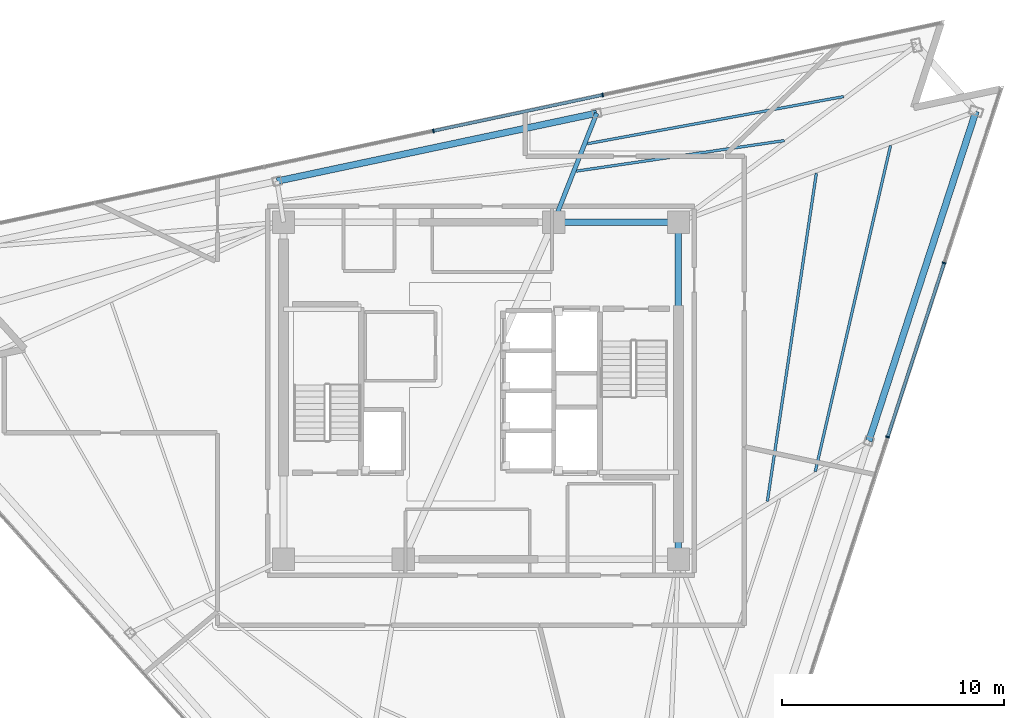
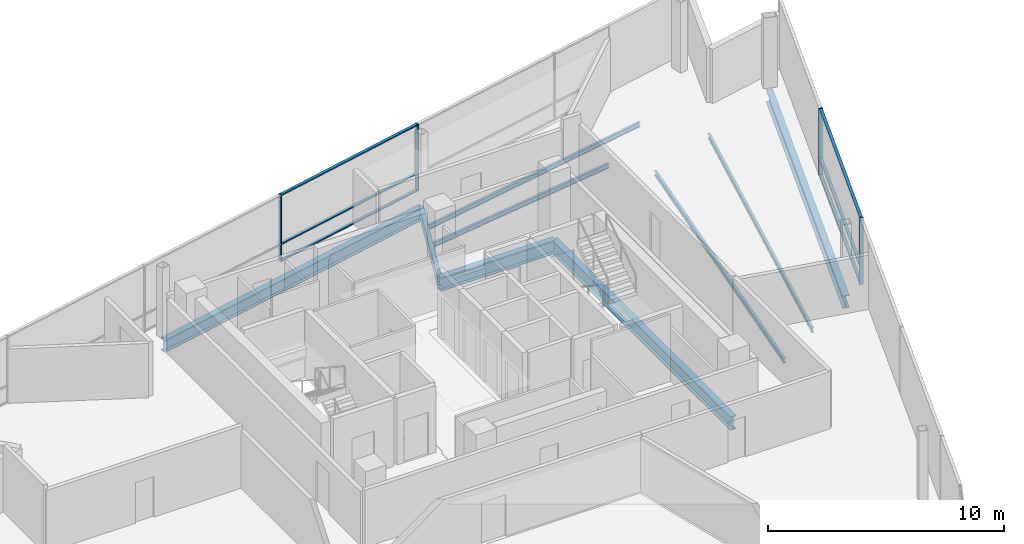
# One storey, part 7 of 15: 10 members, 9 beams, 2 elements without a shape of their own.
"""IFC4 building model written with IfcOpenShell, lengths in metres."""

from ifc_helpers import new_model, si_unit, direction, frame, origin, origin_2d, place, context, subcontext, project, spatial, rectangle, i_section, extrude, material, layer, layer_set, material_profile, profile_set, type_object, element, aggregate, save


model = new_model("IFC4")

# Units and contexts
model_context = context("Model", 3, precision=1e-05, world=origin(), true_north=direction((0.0, 1.0)))
body_context = subcontext(model_context, "Body", "Model", "MODEL_VIEW")
ifc_project = project(units=[si_unit("LENGTHUNIT", "METRE"), si_unit("AREAUNIT", "SQUARE_METRE"), si_unit("VOLUMEUNIT", "CUBIC_METRE"), si_unit("PLANEANGLEUNIT", "RADIAN"), si_unit("MASSUNIT", "GRAM", prefix="KILO")], contexts=[model_context])

# Site, building, storey
site_placement = place(None, origin())
site = spatial("IfcSite", under=ifc_project, at=site_placement, CompositionType="ELEMENT")
building_placement = place(site_placement, origin())
building = spatial("IfcBuilding", under=site, at=building_placement, Name="Tharavind Bronze Gate", CompositionType="ELEMENT")
storey_placement = place(building_placement, frame((0.0, 0.0, 290.699951171875)))
storey = spatial("IfcBuildingStorey", under=building, at=storey_placement, Name="L75", CompositionType="ELEMENT", Elevation=290.699951171875)

# Curtain wall, members
ifc_material_1 = material(Name="Anodised Bronze Aluminium", Category="aluminium")
ifc_layer = layer(ifc_material_1, 0.219970703125)
ifc_layer_set = layer_set([ifc_layer], Name="Anodised Bronze Aluminium")
curtain_wall_type = type_object("IfcCurtainWallType", Name="UNITISED CURTAIN WALL CROWN", PredefinedType="USERDEFINED", material=ifc_layer_set)
curtain_wall_1_placement = place(storey_placement, origin())
curtain_wall_1 = element("IfcCurtainWall", 1, at=curtain_wall_1_placement, inside=storey, type_object=curtain_wall_type, Name="L75 unitised curtain wall crown CW-L75-S2", ObjectType="UNITISED CURTAIN WALL", PredefinedType="USERDEFINED")
member_type_1 = type_object("IfcMemberType", Name="CURTAIN WALL BRONZE MULLION 65X180", PredefinedType="MULLION", material=ifc_material_1)
member_1_placement = place(storey_placement, frame((18.336181640625, -2.08544921875, 0.0), z_axis=(0.0, 0.0, 1.0), x_axis=(0.309016994375, 0.951056516295, 0.0)))
member_1 = element("IfcMember", 2, at=member_1_placement, type_object=member_type_1, Name="CW-L75-S2 mullion 5", PredefinedType="MULLION", context=body_context, shape_type="SweptSolid", body=[
    extrude(rectangle(XDim=0.06494140625, YDim=0.179931640625, at=origin_2d()), origin(), (0.0, 0.0, 1.0), 3.465087890625),
])
member_2_placement = place(storey_placement, frame((20.885009765625, 5.759033203125, 0.0), z_axis=(0.0, 0.0, 1.0), x_axis=(0.309016994375, 0.951056516295, 0.0)))
member_2 = element("IfcMember", 3, at=member_2_placement, type_object=member_type_1, Name="CW-L75-S2 mullion 6", PredefinedType="MULLION", context=body_context, shape_type="SweptSolid", body=[
    extrude(rectangle(XDim=0.06494140625, YDim=0.179931640625, at=origin_2d()), origin(), (0.0, 0.0, 1.0), 3.465087890625),
])

curtain_wall_2_placement = place(storey_placement, origin())
curtain_wall_2 = element("IfcCurtainWall", 4, at=curtain_wall_2_placement, inside=storey, type_object=curtain_wall_type, Name="L75 unitised curtain wall crown CW-L75-S3", ObjectType="UNITISED CURTAIN WALL", PredefinedType="USERDEFINED")
member_3_placement = place(storey_placement, frame((5.487548828125, 13.33740234375, 0.0), z_axis=(0.0, 0.0, 1.0), x_axis=(-0.978147237858, -0.207913398007, 0.0)))
member_3 = element("IfcMember", 5, at=member_3_placement, type_object=member_type_1, Name="CW-L75-S3 mullion 3", PredefinedType="MULLION", context=body_context, shape_type="SweptSolid", body=[
    extrude(rectangle(XDim=0.06494140625, YDim=0.179931640625, at=origin_2d()), origin(), (0.0, 0.0, 1.0), 3.465087890625),
])
member_4_placement = place(storey_placement, frame((-2.14453125, 11.715087890625, 0.0), z_axis=(0.0, 0.0, 1.0), x_axis=(-0.978147237858, -0.207913398007, 0.0)))
member_4 = element("IfcMember", 6, at=member_4_placement, type_object=member_type_1, Name="CW-L75-S3 mullion 4", PredefinedType="MULLION", context=body_context, shape_type="SweptSolid", body=[
    extrude(rectangle(XDim=0.06494140625, YDim=0.179931640625, at=origin_2d()), origin(), (0.0, 0.0, 1.0), 3.465087890625),
])

# Member
member_type_2 = type_object("IfcMemberType", Name="CURTAIN WALL BRONZE TRANSOM 65X140", PredefinedType="USERDEFINED", material=ifc_material_1)
member_5_placement = place(storey_placement, frame((19.610595703125, 1.8369140625, 0.0), z_axis=(0.0, 0.0, 1.0), x_axis=(0.309016994375, 0.951056516295, 0.0)))
member_5 = element("IfcMember", 7, at=member_5_placement, type_object=member_type_2, Name="CW-L75-S2 transom TB5", ObjectType="TRANSOM", PredefinedType="USERDEFINED", context=body_context, shape_type="SweptSolid", body=[
    extrude(rectangle(XDim=8.195068359375, YDim=0.139892578125, at=origin_2d()), origin(), (0.0, 0.0, 1.0), 0.06494140625),
])

member_6_placement = place(storey_placement, frame((19.610595703125, 1.8369140625, 0.86767578125), z_axis=(0.0, 0.0, 1.0), x_axis=(0.309016994375, 0.951056516295, 0.0)))
member_6 = element("IfcMember", 8, at=member_6_placement, type_object=member_type_2, Name="CW-L75-S2 transom TS5", ObjectType="TRANSOM", PredefinedType="USERDEFINED", context=body_context, shape_type="SweptSolid", body=[
    extrude(rectangle(XDim=8.195068359375, YDim=0.139892578125, at=origin_2d()), origin(), (0.0, 0.0, 1.0), 0.06494140625),
])

member_7_placement = place(storey_placement, frame((19.610595703125, 1.8369140625, 3.400146484375), z_axis=(0.0, 0.0, 1.0), x_axis=(0.309016994375, 0.951056516295, 0.0)))
member_7 = element("IfcMember", 9, at=member_7_placement, type_object=member_type_2, Name="CW-L75-S2 transom TT5", ObjectType="TRANSOM", PredefinedType="USERDEFINED", context=body_context, shape_type="SweptSolid", body=[
    extrude(rectangle(XDim=8.195068359375, YDim=0.139892578125, at=origin_2d()), origin(), (0.0, 0.0, 1.0), 0.06494140625),
])

aggregate(curtain_wall_1, [member_1, member_2, member_5, member_6, member_7])

member_8_placement = place(storey_placement, frame((1.67138671875, 12.526123046875, 0.0), z_axis=(0.0, 0.0, 1.0), x_axis=(-0.978147237858, -0.207913398007, 0.0)))
member_8 = element("IfcMember", 10, at=member_8_placement, type_object=member_type_2, Name="CW-L75-S3 transom TB3", ObjectType="TRANSOM", PredefinedType="USERDEFINED", context=body_context, shape_type="SweptSolid", body=[
    extrude(rectangle(XDim=7.749755859375, YDim=0.139892578125, at=origin_2d()), origin(), (0.0, 0.0, 1.0), 0.06494140625),
])

member_9_placement = place(storey_placement, frame((1.67138671875, 12.526123046875, 0.86767578125), z_axis=(0.0, 0.0, 1.0), x_axis=(-0.978147237858, -0.207913398007, 0.0)))
member_9 = element("IfcMember", 11, at=member_9_placement, type_object=member_type_2, Name="CW-L75-S3 transom TS3", ObjectType="TRANSOM", PredefinedType="USERDEFINED", context=body_context, shape_type="SweptSolid", body=[
    extrude(rectangle(XDim=7.749755859375, YDim=0.139892578125, at=origin_2d()), origin(), (0.0, 0.0, 1.0), 0.06494140625),
])

member_10_placement = place(storey_placement, frame((1.67138671875, 12.526123046875, 3.400146484375), z_axis=(0.0, 0.0, 1.0), x_axis=(-0.978147237858, -0.207913398007, 0.0)))
member_10 = element("IfcMember", 12, at=member_10_placement, type_object=member_type_2, Name="CW-L75-S3 transom TT3", ObjectType="TRANSOM", PredefinedType="USERDEFINED", context=body_context, shape_type="SweptSolid", body=[
    extrude(rectangle(XDim=7.749755859375, YDim=0.139892578125, at=origin_2d()), origin(), (0.0, 0.0, 1.0), 0.06494140625),
])

aggregate(curtain_wall_2, [member_3, member_4, member_8, member_9, member_10])

# Beams
ifc_material_2 = material(Name="Steel S355", Category="steel")
ifc_material_profile_1 = material_profile(ifc_material_2, i_section(OverallWidth=0.300048828125, OverallDepth=0.64990234375, WebThickness=0.01611328125, FlangeThickness=0.031005859375, at=origin_2d()), Name="HE650B")
ifc_profile_set_1 = profile_set([ifc_material_profile_1], Name="Steel S355")
beam_type_1 = type_object("IfcBeamType", Name="PRIMARY GIRDER HE650B", PredefinedType="USERDEFINED", material=ifc_profile_set_1)
beam_1_placement = place(storey_placement, frame((17.4892578125, -2.265380859375, -0.510009765625), z_axis=(0.309011547215, 0.951058286168, 0.0), x_axis=(-0.951058286168, 0.309011547215, 0.0)))
element("IfcBeam", 13, at=beam_1_placement, inside=storey, type_object=beam_type_1, Name="L75 primary girder he650b BM-L75-PRG07", ObjectType="GIRDER", PredefinedType="USERDEFINED", context=body_context, shape_type="SweptSolid", body=[
    extrude(i_section(OverallWidth=0.300048828125, OverallDepth=0.64990234375, WebThickness=0.01611328125, FlangeThickness=0.031005859375, at=origin_2d()), origin(), (0.0, 0.0, 1.0), 15.6298828125),
])
beam_2_placement = place(storey_placement, frame((5.219970703125, 12.513671875, -0.510009765625), z_axis=(-0.97814794647, -0.207910064249, 0.0), x_axis=(0.207910064249, -0.97814794647, 0.0)))
element("IfcBeam", 14, at=beam_2_placement, inside=storey, type_object=beam_type_1, Name="L75 primary girder he650b BM-L75-PRG10", ObjectType="GIRDER", PredefinedType="USERDEFINED", context=body_context, shape_type="SweptSolid", body=[
    extrude(i_section(OverallWidth=0.300048828125, OverallDepth=0.64990234375, WebThickness=0.01611328125, FlangeThickness=0.031005859375, at=origin_2d()), origin(), (0.0, 0.0, 1.0), 14.7392578125),
])
ifc_material_profile_2 = material_profile(ifc_material_2, i_section(OverallWidth=0.199951171875, OverallDepth=0.5, WebThickness=0.01025390625, FlangeThickness=0.01611328125, at=origin_2d()), Name="IPE500")
ifc_profile_set_2 = profile_set([ifc_material_profile_2], Name="Steel S355")
beam_type_2 = type_object("IfcBeamType", Name="PRIMARY GIRDER IPE500", PredefinedType="USERDEFINED", material=ifc_profile_set_2)
beam_3_placement = place(storey_placement, frame((5.219970703125, 12.513671875, -0.43505859375), z_axis=(-0.367227563748, -0.930131128618, 0.0), x_axis=(0.930131128618, -0.367227563748, 0.0)))
element("IfcBeam", 15, at=beam_3_placement, inside=storey, type_object=beam_type_2, Name="L75 primary girder ipe500 BM-L75-RAD10", ObjectType="GIRDER", PredefinedType="USERDEFINED", context=body_context, shape_type="SweptSolid", body=[
    extrude(i_section(OverallWidth=0.199951171875, OverallDepth=0.5, WebThickness=0.01025390625, FlangeThickness=0.01611328125, at=origin_2d()), origin(), (0.0, 0.0, 1.0), 5.28271484375),
])
ifc_material_profile_3 = material_profile(ifc_material_2, i_section(OverallWidth=0.300048828125, OverallDepth=0.699951171875, WebThickness=0.01708984375, FlangeThickness=0.031982421875, at=origin_2d()), Name="HE700B")
ifc_profile_set_3 = profile_set([ifc_material_profile_3], Name="Steel S355")
beam_type_3 = type_object("IfcBeamType", Name="RING GIRDER HE700B", PredefinedType="USERDEFINED", material=ifc_profile_set_3)
beam_4_placement = place(storey_placement, frame((8.89990234375, -7.60009765625, -0.534912109375), z_axis=(0.0, 1.0, 0.0), x_axis=(-1.0, 0.0, 0.0)))
element("IfcBeam", 16, at=beam_4_placement, inside=storey, type_object=beam_type_3, Name="L75 ring girder he700b BM-L75-CR3", ObjectType="GIRDER", PredefinedType="USERDEFINED", context=body_context, shape_type="SweptSolid", body=[
    extrude(i_section(OverallWidth=0.300048828125, OverallDepth=0.699951171875, WebThickness=0.01708984375, FlangeThickness=0.031982421875, at=origin_2d()), origin(), (0.0, 0.0, 1.0), 15.2001953125),
])
beam_5_placement = place(storey_placement, frame((8.89990234375, 7.60009765625, -0.534912109375), z_axis=(-1.0, 0.0, 0.0), x_axis=(0.0, -1.0, 0.0)))
element("IfcBeam", 17, at=beam_5_placement, inside=storey, type_object=beam_type_3, Name="L75 ring girder he700b BM-L75-CR4", ObjectType="GIRDER", PredefinedType="USERDEFINED", context=body_context, shape_type="SweptSolid", body=[
    extrude(i_section(OverallWidth=0.300048828125, OverallDepth=0.699951171875, WebThickness=0.01708984375, FlangeThickness=0.031982421875, at=origin_2d()), origin(), (0.0, 0.0, 1.0), 5.619873046875),
])
ifc_material_profile_4 = material_profile(ifc_material_2, i_section(OverallWidth=0.1201171875, OverallDepth=0.239990234375, WebThickness=0.006103515625, FlangeThickness=0.009765625, at=origin_2d()), Name="IPE240")
ifc_profile_set_4 = profile_set([ifc_material_profile_4], Name="Steel S355")
beam_type_4 = type_object("IfcBeamType", Name="SECONDARY FLOOR JOIST IPE240", PredefinedType="JOIST", material=ifc_profile_set_4)
beam_6_placement = place(storey_placement, frame((12.913818359375, -4.985595703125, -0.304931640625), z_axis=(0.147668368553, 0.989036932035, 0.0), x_axis=(-0.989036932035, 0.147668368553, 0.0)))
element("IfcBeam", 18, at=beam_6_placement, inside=storey, type_object=beam_type_4, Name="L75 secondary floor joist ipe240 BM-L75-JSTA07", PredefinedType="JOIST", context=body_context, shape_type="SweptSolid", body=[
    extrude(i_section(OverallWidth=0.1201171875, OverallDepth=0.239990234375, WebThickness=0.006103515625, FlangeThickness=0.009765625, at=origin_2d()), origin(), (0.0, 0.0, 1.0), 14.95751953125),
])
beam_7_placement = place(storey_placement, frame((15.073974609375, -3.644287109375, -0.304931640625), z_axis=(0.224913878483, 0.974378646762, 0.0), x_axis=(-0.974378646762, 0.224913878483, 0.0)))
element("IfcBeam", 19, at=beam_7_placement, inside=storey, type_object=beam_type_4, Name="L75 secondary floor joist ipe240 BM-L75-JSTB07", PredefinedType="JOIST", context=body_context, shape_type="SweptSolid", body=[
    extrude(i_section(OverallWidth=0.1201171875, OverallDepth=0.239990234375, WebThickness=0.006103515625, FlangeThickness=0.009765625, at=origin_2d()), origin(), (0.0, 0.0, 1.0), 15.0849609375),
])
beam_8_placement = place(storey_placement, frame((13.679931640625, 11.278564453125, -0.304931640625), z_axis=(-0.989403029467, -0.145195197172, 0.0), x_axis=(0.145195197172, -0.989403029467, 0.0)))
element("IfcBeam", 20, at=beam_8_placement, inside=storey, type_object=beam_type_4, Name="L75 secondary floor joist ipe240 BM-L75-JSTA09", PredefinedType="JOIST", context=body_context, shape_type="SweptSolid", body=[
    extrude(i_section(OverallWidth=0.1201171875, OverallDepth=0.239990234375, WebThickness=0.006103515625, FlangeThickness=0.009765625, at=origin_2d()), origin(), (0.0, 0.0, 1.0), 9.47998046875),
])
beam_9_placement = place(storey_placement, frame((16.350341796875, 13.2626953125, -0.304931640625), z_axis=(-0.983492984131, -0.180946263195, 0.0), x_axis=(0.180946263195, -0.983492984131, 0.0)))
element("IfcBeam", 21, at=beam_9_placement, inside=storey, type_object=beam_type_4, Name="L75 secondary floor joist ipe240 BM-L75-JSTB09", PredefinedType="JOIST", context=body_context, shape_type="SweptSolid", body=[
    extrude(i_section(OverallWidth=0.1201171875, OverallDepth=0.239990234375, WebThickness=0.006103515625, FlangeThickness=0.009765625, at=origin_2d()), origin(), (0.0, 0.0, 1.0), 11.75732421875),
])

save(model, "model.ifc")
